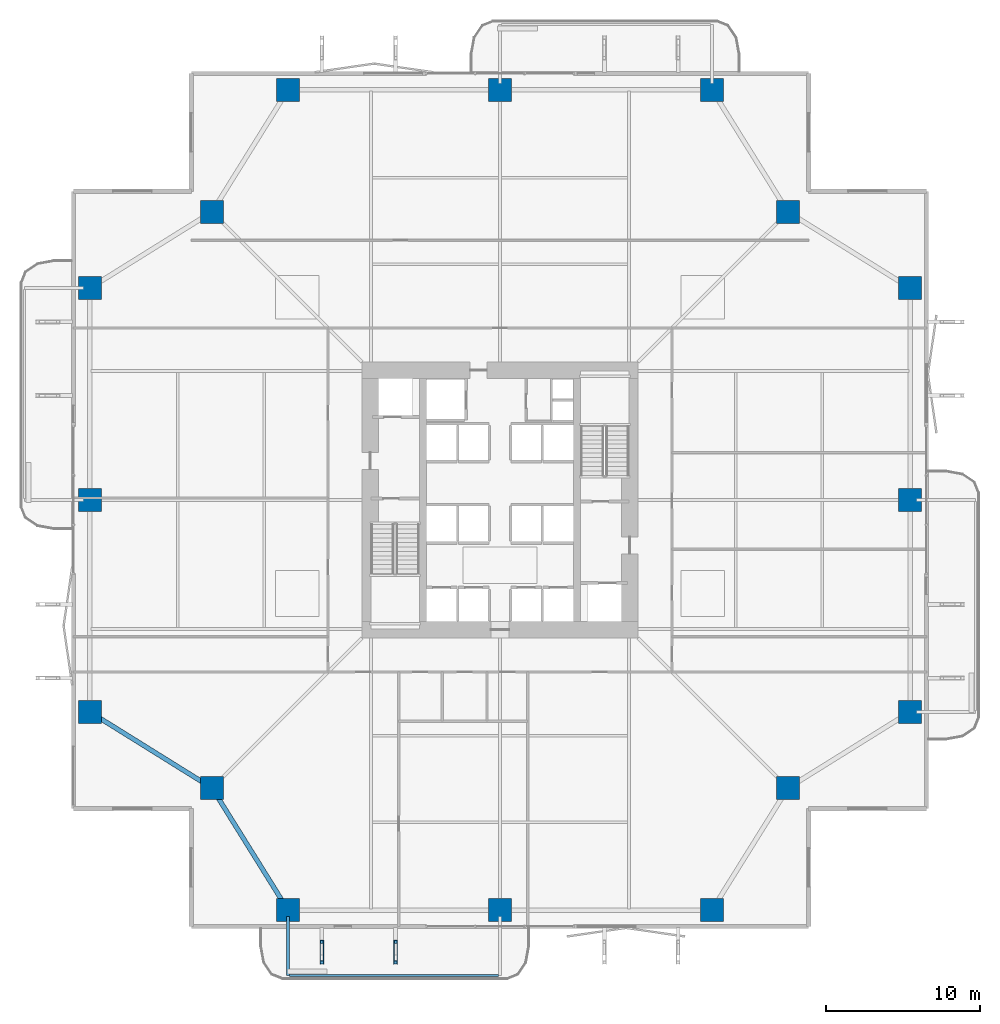
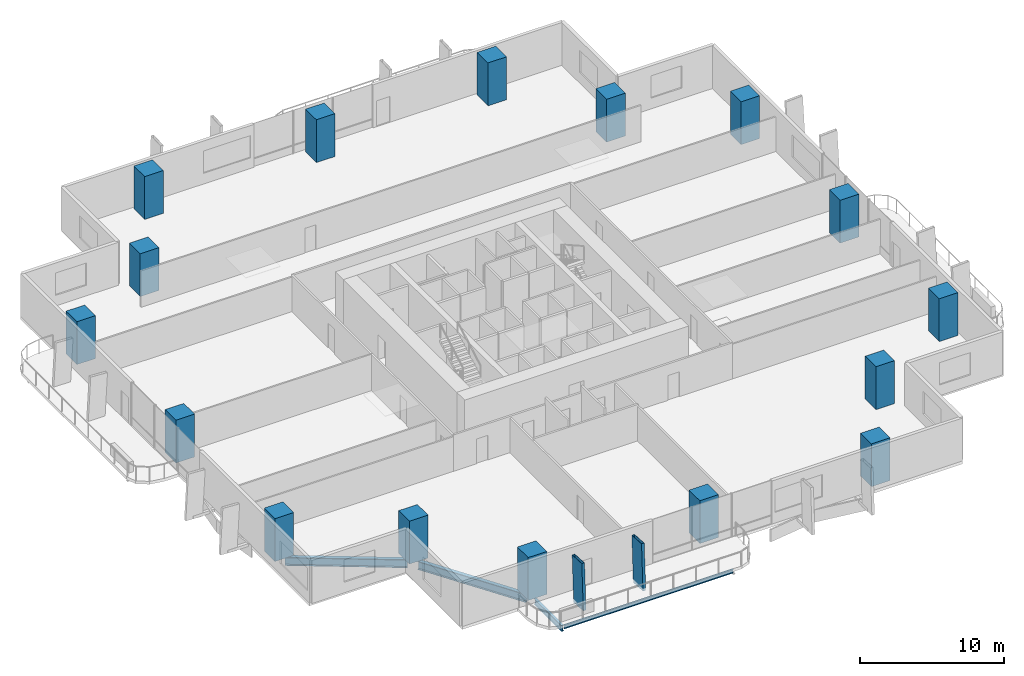
# One storey, part 1 of 23: 16 columns, 4 beams, 2 members.
"""IFC4 building model written with IfcOpenShell, lengths in metres."""

from ifc_helpers import new_model, si_unit, direction, frame, origin, origin_2d, place, context, subcontext, project, spatial, rectangle, hollow_rectangle, i_section, extrude, material, material_profile, profile_set, type_object, element, save


model = new_model("IFC4")

# Units and contexts
model_context = context("Model", 3, precision=1e-05, world=origin(), true_north=direction((0.0, 1.0)))
body_context = subcontext(model_context, "Body", "Model", "MODEL_VIEW")
ifc_project = project(units=[si_unit("LENGTHUNIT", "METRE"), si_unit("AREAUNIT", "SQUARE_METRE"), si_unit("VOLUMEUNIT", "CUBIC_METRE"), si_unit("PLANEANGLEUNIT", "RADIAN"), si_unit("MASSUNIT", "GRAM", prefix="KILO")], contexts=[model_context])

# Site, building, storey
site_placement = place(None, origin())
site = spatial("IfcSite", under=ifc_project, at=site_placement, CompositionType="ELEMENT")
building_placement = place(site_placement, origin())
building = spatial("IfcBuilding", under=site, at=building_placement, Name="Belovzor Exchange Tower", CompositionType="ELEMENT")
storey_placement = place(building_placement, frame((0.0, 0.0, 65.10009765625)))
storey = spatial("IfcBuildingStorey", under=building, at=storey_placement, Name="L15", CompositionType="ELEMENT", Elevation=65.10009765625)

# Columns
ifc_material_1 = material(Name="Concrete C60/75", Category="concrete")
ifc_material_profile_1 = material_profile(ifc_material_1, rectangle(XDim=1.5, YDim=1.5, at=origin_2d()))
ifc_profile_set_1 = profile_set([ifc_material_profile_1], Name="Concrete C60/75")
column_type = type_object("IfcColumnType", Name="Reinforced Concrete Tower Column 1500x1500", PredefinedType="COLUMN", material=ifc_profile_set_1)
for number, where, z_axis, x_axis, name in (
    (1, (15.0, 2.10009765625, 0.0029296875), (0.0, 0.0, 1.0), (1.0, 0.0, 0.0), "COL-T150 Reinforced Concrete Tower Column 1500x1500"),
    (2, (28.800048828125, 2.10009765625, 0.0029296875), (0.0, 0.0, 1.0), (1.0, 0.0, 0.0), "COL-T150 Reinforced Concrete Tower Column 1500x1500"),
    (3, (42.60009765625, 2.10009765625, 0.0029296875), (0.0, 0.0, 1.0), (1.0, 0.0, 0.0), "COL-T150 Reinforced Concrete Tower Column 1500x1500"),
    (4, (55.5, 15.0, 0.0029296875), (0.0, 0.0, 1.0), (1.0, 0.0, 0.0), "COL-T150 Reinforced Concrete Tower Column 1500x1500"),
    (5, (55.5, 28.800048828125, 0.0029296875), (0.0, 0.0, 1.0), (1.0, 0.0, 0.0), "COL-T150 Reinforced Concrete Tower Column 1500x1500"),
    (6, (55.5, 42.60009765625, 0.0029296875), (0.0, 0.0, 1.0), (1.0, 0.0, 0.0), "COL-T150 Reinforced Concrete Tower Column 1500x1500"),
    (7, (42.60009765625, 55.5, 0.0029296875), (0.0, 0.0, 1.0), (1.0, 0.0, 0.0), "COL-T150 Reinforced Concrete Tower Column 1500x1500"),
    (8, (28.800048828125, 55.5, 0.0029296875), (0.0, 0.0, 1.0), (1.0, 0.0, 0.0), "COL-T150 Reinforced Concrete Tower Column 1500x1500"),
    (9, (15.0, 55.5, 0.0029296875), (0.0, 0.0, 1.0), (1.0, 0.0, 0.0), "COL-T150 Reinforced Concrete Tower Column 1500x1500"),
    (10, (2.10009765625, 42.60009765625, 0.0029296875), (0.0, 0.0, 1.0), (1.0, 0.0, 0.0), "COL-T150 Reinforced Concrete Tower Column 1500x1500"),
    (11, (2.10009765625, 28.800048828125, 0.0029296875), (0.0, 0.0, 1.0), (1.0, 0.0, 0.0), "COL-T150 Reinforced Concrete Tower Column 1500x1500"),
    (12, (2.10009765625, 15.0, 0.0029296875), (0.0, 0.0, 1.0), (1.0, 0.0, 0.0), "COL-T150 Reinforced Concrete Tower Column 1500x1500"),
    (13, (10.050048828125, 10.050048828125, 0.0029296875), (0.0, 0.0, 1.0), (1.0, 0.0, 0.0), "COL-T150 Reinforced Concrete Tower Column 1500x1500"),
    (14, (47.550048828125, 10.050048828125, 0.0029296875), (0.0, 0.0, 1.0), (1.0, 0.0, 0.0), "COL-T150 Reinforced Concrete Tower Column 1500x1500"),
    (15, (47.550048828125, 47.550048828125, 0.0029296875), (0.0, 0.0, 1.0), (1.0, 0.0, 0.0), "COL-T150 Reinforced Concrete Tower Column 1500x1500"),
    (16, (10.050048828125, 47.550048828125, 0.0029296875), (0.0, 0.0, 1.0), (1.0, 0.0, 0.0), "COL-T150 Reinforced Concrete Tower Column 1500x1500"),
):
    element("IfcColumn", number, at=place(storey_placement, frame(where, z_axis=z_axis, x_axis=x_axis)), inside=storey, type_object=column_type, Name=name, PredefinedType="COLUMN", context=body_context, shape_type="SweptSolid", body=[
        extrude(rectangle(XDim=1.5, YDim=1.5, at=origin_2d()), origin(), (0.0, 0.0, 1.0), 3.64404296875),
    ])

# Members
ifc_material_2 = material(Name="Extruded Architectural Terracotta on Steel S355 Carrier", Category="masonry")
ifc_material_profile_2 = material_profile(ifc_material_2, hollow_rectangle(XDim=0.219970703125, YDim=1.35009765625, WallThickness=0.013916015625, at=origin_2d()))
ifc_profile_set_2 = profile_set([ifc_material_profile_2], Name="Extruded Architectural Terracotta on Steel S355 Carrier")
member_type = type_object("IfcMemberType", Name="Base Arc Sweeping Terracotta Pylon Fin 1450", PredefinedType="USERDEFINED", material=ifc_profile_set_2)
for number, where, z_axis, x_axis, name in (
    (17, (17.199951171875, -0.739013671875, -0.25), (0.0, 0.053011620344, 0.998593895489), (-1.0, 0.0, 0.0), "FIN-TC145 Terracotta Facade Fin L15 S1"),
    (18, (22.0, -0.739013671875, -0.25), (0.0, 0.053011620344, 0.998593895489), (-1.0, 0.0, 0.0), "FIN-TC145 Terracotta Facade Fin L15 S2"),
):
    element("IfcMember", number, at=place(storey_placement, frame(where, z_axis=z_axis, x_axis=x_axis)), inside=storey, type_object=member_type, Name=name, ObjectType="FIN", PredefinedType="USERDEFINED", context=body_context, shape_type="SweptSolid", body=[
        extrude(hollow_rectangle(XDim=0.219970703125, YDim=1.35009765625, WallThickness=0.013916015625, at=origin_2d()), origin(), (0.0, 0.0, 1.0), 3.9052734375),
    ])

# Beams
ifc_material_3 = material(Name="Steel S355", Category="steel")
ifc_material_profile_3 = material_profile(ifc_material_3, i_section(OverallWidth=0.199951171875, OverallDepth=0.5, WebThickness=0.01025390625, FlangeThickness=0.01611328125, at=origin_2d()))
ifc_profile_set_3 = profile_set([ifc_material_profile_3], Name="Steel S355")
beam_type_1 = type_object("IfcBeamType", Name="Planted Balcony Cantilever Beam IPE 500", PredefinedType="BEAM", material=ifc_profile_set_3)
beam_1_placement = place(storey_placement, frame((15.0, 1.68798828125, -0.5), z_axis=(0.0, -1.0, 0.0), x_axis=(1.0, 0.0, 0.0)))
element("IfcBeam", 19, at=beam_1_placement, inside=storey, type_object=beam_type_1, Name="BC-500 Planted Balcony Cantilever Beam IPE 500", PredefinedType="BEAM", context=body_context, shape_type="SweptSolid", body=[
    extrude(i_section(OverallWidth=0.199951171875, OverallDepth=0.5, WebThickness=0.01025390625, FlangeThickness=0.01611328125, at=origin_2d()), origin(), (0.0, 0.0, 1.0), 3.85009765625),
])
ifc_material_4 = material(Name="Steel S355", Category="steel")
ifc_material_profile_4 = material_profile(ifc_material_4, i_section(OverallWidth=0.14990234375, OverallDepth=0.300048828125, WebThickness=0.007080078125, FlangeThickness=0.0107421875, at=origin_2d()))
ifc_profile_set_4 = profile_set([ifc_material_profile_4], Name="Steel S355")
beam_type_2 = type_object("IfcBeamType", Name="Planted Balcony Fascia Edge Beam IPE 300", PredefinedType="BEAM", material=ifc_profile_set_4)
beam_2_placement = place(storey_placement, frame((15.10009765625, -2.162109375, -0.400146484375), z_axis=(1.0, 0.0, 0.0), x_axis=(0.0, 1.0, 0.0)))
element("IfcBeam", 20, at=beam_2_placement, inside=storey, type_object=beam_type_2, Name="BC-300 Planted Balcony Fascia Edge Beam IPE 300", PredefinedType="BEAM", context=body_context, shape_type="SweptSolid", body=[
    extrude(i_section(OverallWidth=0.14990234375, OverallDepth=0.300048828125, WebThickness=0.007080078125, FlangeThickness=0.0107421875, at=origin_2d()), origin(), (0.0, 0.0, 1.0), 13.599853515625),
])
ifc_material_5 = material(Name="Steel S355", Category="steel")
ifc_material_profile_5 = material_profile(ifc_material_5, i_section(OverallWidth=0.300048828125, OverallDepth=0.699951171875, WebThickness=0.01708984375, FlangeThickness=0.031982421875, at=origin_2d()))
ifc_profile_set_5 = profile_set([ifc_material_profile_5], Name="Steel S355")
beam_type_3 = type_object("IfcBeamType", Name="Zone 1 Primary Perimeter Girder HEB 700", PredefinedType="BEAM", material=ifc_profile_set_5)
for number, where, z_axis, x_axis, name in (
    (21, (10.26806640625, 9.699951171875, -0.60009765625), (0.528538629686, -0.848909251292, 0.0), (0.848909251292, 0.528538629686, 0.0), "FG-Z1 Zone 1 Primary Perimeter Girder HEB 700"),
    (22, (2.449951171875, 14.781982421875, -0.60009765625), (0.848909251292, -0.528538629686, 0.0), (0.528538629686, 0.848909251292, 0.0), "FG-Z1 Zone 1 Primary Perimeter Girder HEB 700"),
):
    element("IfcBeam", number, at=place(storey_placement, frame(where, z_axis=z_axis, x_axis=x_axis)), inside=storey, type_object=beam_type_3, Name=name, PredefinedType="BEAM", context=body_context, shape_type="SweptSolid", body=[
        extrude(i_section(OverallWidth=0.300048828125, OverallDepth=0.699951171875, WebThickness=0.01708984375, FlangeThickness=0.031982421875, at=origin_2d()), origin(), (0.0, 0.0, 1.0), 8.540283203125),
    ])

save(model, "model.ifc")
